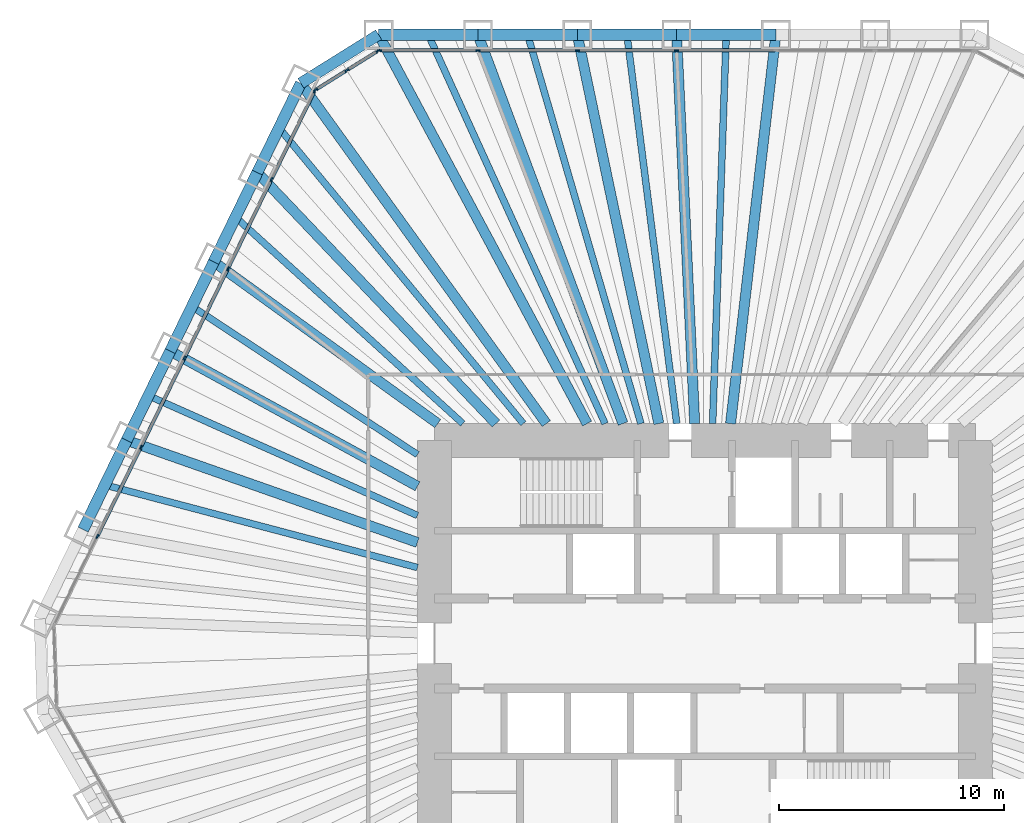
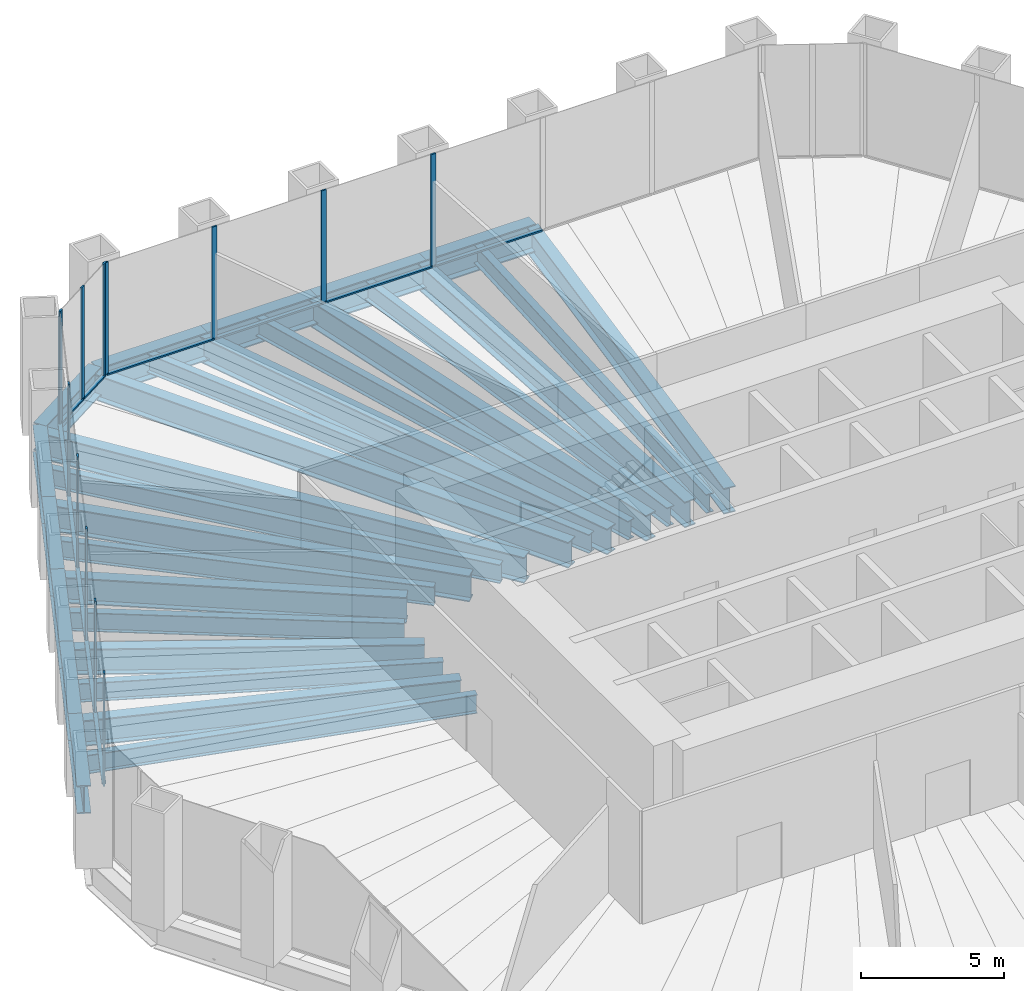
# One storey, part 6 of 14: 29 beams, 24 members, 3 elements without a shape of their own.
"""IFC4 building model written with IfcOpenShell, lengths in metres."""

from ifc_helpers import new_model, si_unit, direction, frame, origin, origin_2d, place, context, subcontext, project, spatial, rectangle, i_section, extrude, material, material_profile, profile_set, type_object, element, aggregate, save


model = new_model("IFC4")

# Units and contexts
model_context = context("Model", 3, precision=1e-05, world=origin(), true_north=direction((0.0, 1.0)))
body_context = subcontext(model_context, "Body", "Model", "MODEL_VIEW")
ifc_project = project(units=[si_unit("LENGTHUNIT", "METRE"), si_unit("AREAUNIT", "SQUARE_METRE"), si_unit("VOLUMEUNIT", "CUBIC_METRE"), si_unit("PLANEANGLEUNIT", "RADIAN"), si_unit("MASSUNIT", "GRAM", prefix="KILO")], contexts=[model_context])

# Site, building, storey
site_placement = place(None, origin())
site = spatial("IfcSite", under=ifc_project, at=site_placement, CompositionType="ELEMENT")
building_placement = place(site_placement, origin())
building = spatial("IfcBuilding", under=site, at=building_placement, Name="Qingtian Harvest Tower", CompositionType="ELEMENT")
storey_placement = place(building_placement, frame((0.0, 0.0, 52.0)))
storey = spatial("IfcBuildingStorey", under=building, at=storey_placement, Name="L10", CompositionType="ELEMENT", Elevation=52.0)

# Beams
ifc_material_1 = material(Name="Steel SM570MC", Category="steel")
ifc_material_profile_1 = material_profile(ifc_material_1, i_section(OverallWidth=0.449951171875, OverallDepth=1.10009765625, WebThickness=0.02197265625, FlangeThickness=0.044921875, at=origin_2d()), Name="H1100x450x22x45")
ifc_profile_set_1 = profile_set([ifc_material_profile_1], Name="Steel SM570MC")
beam_type_1 = type_object("IfcBeamType", Name="Corner floor beam FB8 H1100x450x22x45", PredefinedType="BEAM", material=ifc_profile_set_1)
beam_1_placement = place(storey_placement, frame((-14.471435546875, 27.0, -0.75), z_axis=(0.472401408299, -0.881383520062, 0.0), x_axis=(0.881383520062, 0.472401408299, 0.0)))
element("IfcBeam", 1, at=beam_1_placement, inside=storey, type_object=beam_type_1, Name="Floor beam FB8 N0", PredefinedType="BEAM", context=body_context, shape_type="SweptSolid", body=[
    extrude(i_section(OverallWidth=0.449951171875, OverallDepth=1.10009765625, WebThickness=0.02197265625, FlangeThickness=0.044921875, at=origin_2d()), origin(), (0.0, 0.0, 1.0), 19.571533203125),
])
beam_2_placement = place(storey_placement, frame((-17.923583984375, 24.8427734375, -0.75), z_axis=(0.585095822328, -0.810964166098, 0.0), x_axis=(0.810964166098, 0.585095822328, 0.0)))
element("IfcBeam", 2, at=beam_2_placement, inside=storey, type_object=beam_type_1, Name="Floor beam FB8 NW6", PredefinedType="BEAM", context=body_context, shape_type="SweptSolid", body=[
    extrude(i_section(OverallWidth=0.449951171875, OverallDepth=1.10009765625, WebThickness=0.02197265625, FlangeThickness=0.044921875, at=origin_2d()), origin(), (0.0, 0.0, 1.0), 18.61083984375),
])
ifc_material_2 = material(Name="Steel SM570MC", Category="steel")
ifc_material_profile_2 = material_profile(ifc_material_2, i_section(OverallWidth=0.449951171875, OverallDepth=1.10009765625, WebThickness=0.02197265625, FlangeThickness=0.044921875, at=origin_2d()), Name="H1100x450x22x45")
ifc_profile_set_2 = profile_set([ifc_material_profile_2], Name="Steel SM570MC")
beam_type_2 = type_object("IfcBeamType", Name="Floor beam FB1 H1100x450x22x45", PredefinedType="BEAM", material=ifc_profile_set_2)
beam_3_placement = place(storey_placement, frame((-10.06689453125, 27.0, -0.75), z_axis=(0.349355612113, -0.936990211414, 0.0), x_axis=(0.936990211414, 0.349355612113, 0.0)))
element("IfcBeam", 3, at=beam_3_placement, inside=storey, type_object=beam_type_2, Name="Floor beam FB1 N1", PredefinedType="BEAM", context=body_context, shape_type="SweptSolid", body=[
    extrude(i_section(OverallWidth=0.449951171875, OverallDepth=1.10009765625, WebThickness=0.02197265625, FlangeThickness=0.044921875, at=origin_2d()), origin(), (0.0, 0.0, 1.0), 18.409912109375),
])
beam_4_placement = place(storey_placement, frame((-5.662353515625, 27.0, -0.75), z_axis=(0.205255077335, -0.978708512903, 0.0), x_axis=(0.978708512903, 0.205255077335, 0.0)))
element("IfcBeam", 4, at=beam_4_placement, inside=storey, type_object=beam_type_2, Name="Floor beam FB1 N2", PredefinedType="BEAM", context=body_context, shape_type="SweptSolid", body=[
    extrude(i_section(OverallWidth=0.449951171875, OverallDepth=1.10009765625, WebThickness=0.02197265625, FlangeThickness=0.044921875, at=origin_2d()), origin(), (0.0, 0.0, 1.0), 17.625244140625),
])
beam_5_placement = place(storey_placement, frame((-1.257568359375, 27.0, -0.75), z_axis=(0.046527342366, -0.99891701678, 0.0), x_axis=(0.99891701678, 0.046527342366, 0.0)))
element("IfcBeam", 5, at=beam_5_placement, inside=storey, type_object=beam_type_2, Name="Floor beam FB1 N3", PredefinedType="BEAM", context=body_context, shape_type="SweptSolid", body=[
    extrude(i_section(OverallWidth=0.449951171875, OverallDepth=1.10009765625, WebThickness=0.02197265625, FlangeThickness=0.044921875, at=origin_2d()), origin(), (0.0, 0.0, 1.0), 17.268798828125),
])
beam_6_placement = place(storey_placement, frame((3.14697265625, 27.0, -0.75), z_axis=(-0.115766971807, -0.993276400726, 0.0), x_axis=(0.993276400726, -0.115766971807, 0.0)))
element("IfcBeam", 6, at=beam_6_placement, inside=storey, type_object=beam_type_2, Name="Floor beam FB1 N4", PredefinedType="BEAM", context=body_context, shape_type="SweptSolid", body=[
    extrude(i_section(OverallWidth=0.449951171875, OverallDepth=1.10009765625, WebThickness=0.02197265625, FlangeThickness=0.044921875, at=origin_2d()), origin(), (0.0, 0.0, 1.0), 17.36669921875),
])
beam_7_placement = place(storey_placement, frame((-25.64697265625, 9.007568359375, -0.75), z_axis=(0.943501950009, -0.331366972296, 0.0), x_axis=(0.331366972296, 0.943501950009, 0.0)))
element("IfcBeam", 7, at=beam_7_placement, inside=storey, type_object=beam_type_2, Name="Floor beam FB1 NW2", PredefinedType="BEAM", context=body_context, shape_type="SweptSolid", body=[
    extrude(i_section(OverallWidth=0.449951171875, OverallDepth=1.10009765625, WebThickness=0.02197265625, FlangeThickness=0.044921875, at=origin_2d()), origin(), (0.0, 0.0, 1.0), 13.669189453125),
])
beam_8_placement = place(storey_placement, frame((-23.716064453125, 12.96630859375, -0.75), z_axis=(0.877428569154, -0.479707312882, 0.0), x_axis=(0.479707312882, 0.877428569154, 0.0)))
element("IfcBeam", 8, at=beam_8_placement, inside=storey, type_object=beam_type_2, Name="Floor beam FB1 NW3", PredefinedType="BEAM", context=body_context, shape_type="SweptSolid", body=[
    extrude(i_section(OverallWidth=0.449951171875, OverallDepth=1.10009765625, WebThickness=0.02197265625, FlangeThickness=0.044921875, at=origin_2d()), origin(), (0.0, 0.0, 1.0), 12.498046875),
])
beam_9_placement = place(storey_placement, frame((-21.78515625, 16.92529296875, -0.75), z_axis=(0.810680279019, -0.585489099139, 0.0), x_axis=(0.585489099139, 0.810680279019, 0.0)))
element("IfcBeam", 9, at=beam_9_placement, inside=storey, type_object=beam_type_2, Name="Floor beam FB1 NW4", PredefinedType="BEAM", context=body_context, shape_type="SweptSolid", body=[
    extrude(i_section(OverallWidth=0.449951171875, OverallDepth=1.10009765625, WebThickness=0.02197265625, FlangeThickness=0.044921875, at=origin_2d()), origin(), (0.0, 0.0, 1.0), 12.255126953125),
])
beam_10_placement = place(storey_placement, frame((-19.8544921875, 20.884033203125, -0.75), z_axis=(0.689018801535, -0.724743465739, 0.0), x_axis=(0.724743465739, 0.689018801535, 0.0)))
element("IfcBeam", 10, at=beam_10_placement, inside=storey, type_object=beam_type_2, Name="Floor beam FB1 NW5", PredefinedType="BEAM", context=body_context, shape_type="SweptSolid", body=[
    extrude(i_section(OverallWidth=0.449951171875, OverallDepth=1.10009765625, WebThickness=0.02197265625, FlangeThickness=0.044921875, at=origin_2d()), origin(), (0.0, 0.0, 1.0), 15.36279296875),
])
ifc_material_3 = material(Name="Steel SN490B", Category="steel")
ifc_material_profile_3 = material_profile(ifc_material_3, i_section(OverallWidth=0.300048828125, OverallDepth=0.800048828125, WebThickness=0.013916015625, FlangeThickness=0.02587890625, at=origin_2d()), Name="H800x300x14x26")
ifc_profile_set_3 = profile_set([ifc_material_profile_3], Name="Steel SN490B")
beam_type_3 = type_object("IfcBeamType", Name="Floor joist J1 H800x300x14x26", PredefinedType="JOIST", material=ifc_profile_set_3)
beam_11_placement = place(storey_placement, frame((-12.269287109375, 27.0, -0.60009765625), z_axis=(0.413713629402, -0.910407069858, 0.0), x_axis=(0.910407069858, 0.413713629402, 0.0)))
element("IfcBeam", 11, at=beam_11_placement, inside=storey, type_object=beam_type_3, Name="Floor joist J1 N0", PredefinedType="JOIST", context=body_context, shape_type="SweptSolid", body=[
    extrude(i_section(OverallWidth=0.300048828125, OverallDepth=0.800048828125, WebThickness=0.013916015625, FlangeThickness=0.02587890625, at=origin_2d()), origin(), (0.0, 0.0, 1.0), 18.947509765625),
])
beam_12_placement = place(storey_placement, frame((-7.864501953125, 27.0, -0.60009765625), z_axis=(0.279649335299, -0.960102207719, 0.0), x_axis=(0.960102207719, 0.279649335299, 0.0)))
element("IfcBeam", 12, at=beam_12_placement, inside=storey, type_object=beam_type_3, Name="Floor joist J1 N1", PredefinedType="JOIST", context=body_context, shape_type="SweptSolid", body=[
    extrude(i_section(OverallWidth=0.300048828125, OverallDepth=0.800048828125, WebThickness=0.013916015625, FlangeThickness=0.02587890625, at=origin_2d()), origin(), (0.0, 0.0, 1.0), 17.966796875),
])
beam_13_placement = place(storey_placement, frame((-3.4599609375, 27.0, -0.60009765625), z_axis=(0.127102696173, -0.991889562716, 0.0), x_axis=(0.991889562716, 0.127102696173, 0.0)))
element("IfcBeam", 13, at=beam_13_placement, inside=storey, type_object=beam_type_3, Name="Floor joist J1 N2", PredefinedType="JOIST", context=body_context, shape_type="SweptSolid", body=[
    extrude(i_section(OverallWidth=0.300048828125, OverallDepth=0.800048828125, WebThickness=0.013916015625, FlangeThickness=0.02587890625, at=origin_2d()), origin(), (0.0, 0.0, 1.0), 17.39111328125),
])
beam_14_placement = place(storey_placement, frame((0.944580078125, 27.0, -0.60009765625), z_axis=(-0.034965020137, -0.99938853674, 0.0), x_axis=(0.99938853674, -0.034965020137, 0.0)))
element("IfcBeam", 14, at=beam_14_placement, inside=storey, type_object=beam_type_3, Name="Floor joist J1 N3", PredefinedType="JOIST", context=body_context, shape_type="SweptSolid", body=[
    extrude(i_section(OverallWidth=0.300048828125, OverallDepth=0.800048828125, WebThickness=0.013916015625, FlangeThickness=0.02587890625, at=origin_2d()), origin(), (0.0, 0.0, 1.0), 17.260498046875),
])
beam_15_placement = place(storey_placement, frame((-26.6123046875, 7.028076171875, -0.60009765625), z_axis=(0.966852496992, -0.255335561684, 0.0), x_axis=(0.255335561684, 0.966852496992, 0.0)))
element("IfcBeam", 15, at=beam_15_placement, inside=storey, type_object=beam_type_3, Name="Floor joist J1 NW1", PredefinedType="JOIST", context=body_context, shape_type="SweptSolid", body=[
    extrude(i_section(OverallWidth=0.300048828125, OverallDepth=0.800048828125, WebThickness=0.013916015625, FlangeThickness=0.02587890625, at=origin_2d()), origin(), (0.0, 0.0, 1.0), 14.337646484375),
])
beam_16_placement = place(storey_placement, frame((-24.681640625, 10.987060546875, -0.60009765625), z_axis=(0.913567796195, -0.406686466157, 0.0), x_axis=(0.406686466157, 0.913567796195, 0.0)))
element("IfcBeam", 16, at=beam_16_placement, inside=storey, type_object=beam_type_3, Name="Floor joist J1 NW2", PredefinedType="JOIST", context=body_context, shape_type="SweptSolid", body=[
    extrude(i_section(OverallWidth=0.300048828125, OverallDepth=0.800048828125, WebThickness=0.013916015625, FlangeThickness=0.02587890625, at=origin_2d()), origin(), (0.0, 0.0, 1.0), 13.060546875),
])
beam_17_placement = place(storey_placement, frame((-22.750732421875, 14.94580078125, -0.60009765625), z_axis=(0.835785467613, -0.549056146607, 0.0), x_axis=(0.549056146607, 0.835785467613, 0.0)))
element("IfcBeam", 17, at=beam_17_placement, inside=storey, type_object=beam_type_3, Name="Floor joist J1 NW3", PredefinedType="JOIST", context=body_context, shape_type="SweptSolid", body=[
    extrude(i_section(OverallWidth=0.300048828125, OverallDepth=0.800048828125, WebThickness=0.013916015625, FlangeThickness=0.02587890625, at=origin_2d()), origin(), (0.0, 0.0, 1.0), 11.965576171875),
])
beam_18_placement = place(storey_placement, frame((-20.81982421875, 18.904541015625, -0.60009765625), z_axis=(0.740339866926, -0.672232758381, 0.0), x_axis=(0.672232758381, 0.740339866926, 0.0)))
element("IfcBeam", 18, at=beam_18_placement, inside=storey, type_object=beam_type_3, Name="Floor joist J1 NW4", PredefinedType="JOIST", context=body_context, shape_type="SweptSolid", body=[
    extrude(i_section(OverallWidth=0.300048828125, OverallDepth=0.800048828125, WebThickness=0.013916015625, FlangeThickness=0.02587890625, at=origin_2d()), origin(), (0.0, 0.0, 1.0), 13.6181640625),
])
beam_19_placement = place(storey_placement, frame((-18.888916015625, 22.863525390625, -0.60009765625), z_axis=(0.636910378144, -0.77093785107, 0.0), x_axis=(0.77093785107, 0.636910378144, 0.0)))
element("IfcBeam", 19, at=beam_19_placement, inside=storey, type_object=beam_type_3, Name="Floor joist J1 NW5", PredefinedType="JOIST", context=body_context, shape_type="SweptSolid", body=[
    extrude(i_section(OverallWidth=0.300048828125, OverallDepth=0.800048828125, WebThickness=0.013916015625, FlangeThickness=0.02587890625, at=origin_2d()), origin(), (0.0, 0.0, 1.0), 17.009765625),
])

# Curtain wall, members
ifc_material_4 = material(Name="Bronze-anodised aluminium curtain wall", Category="aluminium")
curtain_wall_type = type_object("IfcCurtainWallType", Name="Curtain wall CW2 farm reception", PredefinedType="USERDEFINED", material=ifc_material_4)
curtain_wall_1_placement = place(storey_placement, origin())
curtain_wall_1 = element("IfcCurtainWall", 20, at=curtain_wall_1_placement, inside=storey, type_object=curtain_wall_type, Name="Curtain wall CW2 L10 N0-5", ObjectType="RECESSED CURTAIN WALL", PredefinedType="USERDEFINED")
ifc_material_5 = material(Name="Bronze-anodised aluminium mullion", Category="aluminium")
ifc_material_profile_4 = material_profile(ifc_material_5, rectangle(XDim=0.06494140625, YDim=0.199951171875, at=origin_2d()), Name="AL 65x200")
ifc_profile_set_4 = profile_set([ifc_material_profile_4], Name="Bronze-anodised aluminium mullion")
member_type_1 = type_object("IfcMemberType", Name="Mullion CWM 65x200", PredefinedType="MULLION", material=ifc_profile_set_4)
member_1_placement = place(storey_placement, frame((-14.43896484375, 26.300048828125, 0.0), z_axis=(0.0, 0.0, 1.0), x_axis=(0.0, 1.0, 0.0)))
member_1 = element("IfcMember", 21, at=member_1_placement, type_object=member_type_1, Name="CW2 mullion 1", PredefinedType="MULLION", context=body_context, shape_type="SweptSolid", body=[
    extrude(rectangle(XDim=0.06494140625, YDim=0.199951171875, at=origin_2d()), origin(), (0.0, 0.0, 1.0), 4.800048828125),
])
member_2_placement = place(storey_placement, frame((-10.06689453125, 26.300048828125, 0.0), z_axis=(0.0, 0.0, 1.0), x_axis=(0.0, 1.0, 0.0)))
member_2 = element("IfcMember", 22, at=member_2_placement, type_object=member_type_1, Name="CW2 mullion 2", PredefinedType="MULLION", context=body_context, shape_type="SweptSolid", body=[
    extrude(rectangle(XDim=0.06494140625, YDim=0.199951171875, at=origin_2d()), origin(), (0.0, 0.0, 1.0), 4.800048828125),
])
member_3_placement = place(storey_placement, frame((-5.662353515625, 26.300048828125, 0.0), z_axis=(0.0, 0.0, 1.0), x_axis=(0.0, 1.0, 0.0)))
member_3 = element("IfcMember", 23, at=member_3_placement, type_object=member_type_1, Name="CW2 mullion 3", PredefinedType="MULLION", context=body_context, shape_type="SweptSolid", body=[
    extrude(rectangle(XDim=0.06494140625, YDim=0.199951171875, at=origin_2d()), origin(), (0.0, 0.0, 1.0), 4.800048828125),
])
member_4_placement = place(storey_placement, frame((-1.257568359375, 26.300048828125, 0.0), z_axis=(0.0, 0.0, 1.0), x_axis=(0.0, 1.0, 0.0)))
member_4 = element("IfcMember", 24, at=member_4_placement, type_object=member_type_1, Name="CW2 mullion 4", PredefinedType="MULLION", context=body_context, shape_type="SweptSolid", body=[
    extrude(rectangle(XDim=0.06494140625, YDim=0.199951171875, at=origin_2d()), origin(), (0.0, 0.0, 1.0), 4.800048828125),
])

curtain_wall_2_placement = place(storey_placement, origin())
curtain_wall_2 = element("IfcCurtainWall", 25, at=curtain_wall_2_placement, inside=storey, type_object=curtain_wall_type, Name="Curtain wall CW2 L10 NW0-5", ObjectType="RECESSED CURTAIN WALL", PredefinedType="USERDEFINED")
member_5_placement = place(storey_placement, frame((-26.94873046875, 4.741943359375, 0.0), z_axis=(0.0, 0.0, 1.0), x_axis=(-0.898794046299, 0.438371146789, 0.0)))
member_5 = element("IfcMember", 26, at=member_5_placement, type_object=member_type_1, Name="CW2 mullion 2", PredefinedType="MULLION", context=body_context, shape_type="SweptSolid", body=[
    extrude(rectangle(XDim=0.06494140625, YDim=0.199951171875, at=origin_2d()), origin(), (0.0, 0.0, 1.0), 4.800048828125),
])
member_6_placement = place(storey_placement, frame((-25.017822265625, 8.70068359375, 0.0), z_axis=(0.0, 0.0, 1.0), x_axis=(-0.898794046299, 0.438371146789, 0.0)))
member_6 = element("IfcMember", 27, at=member_6_placement, type_object=member_type_1, Name="CW2 mullion 3", PredefinedType="MULLION", context=body_context, shape_type="SweptSolid", body=[
    extrude(rectangle(XDim=0.06494140625, YDim=0.199951171875, at=origin_2d()), origin(), (0.0, 0.0, 1.0), 4.800048828125),
])
member_7_placement = place(storey_placement, frame((-23.0869140625, 12.659423828125, 0.0), z_axis=(0.0, 0.0, 1.0), x_axis=(-0.898794046299, 0.438371146789, 0.0)))
member_7 = element("IfcMember", 28, at=member_7_placement, type_object=member_type_1, Name="CW2 mullion 4", PredefinedType="MULLION", context=body_context, shape_type="SweptSolid", body=[
    extrude(rectangle(XDim=0.06494140625, YDim=0.199951171875, at=origin_2d()), origin(), (0.0, 0.0, 1.0), 4.800048828125),
])
member_8_placement = place(storey_placement, frame((-21.156005859375, 16.618408203125, 0.0), z_axis=(0.0, 0.0, 1.0), x_axis=(-0.898794046299, 0.438371146789, 0.0)))
member_8 = element("IfcMember", 29, at=member_8_placement, type_object=member_type_1, Name="CW2 mullion 5", PredefinedType="MULLION", context=body_context, shape_type="SweptSolid", body=[
    extrude(rectangle(XDim=0.06494140625, YDim=0.199951171875, at=origin_2d()), origin(), (0.0, 0.0, 1.0), 4.800048828125),
])
member_9_placement = place(storey_placement, frame((-19.225341796875, 20.5771484375, 0.0), z_axis=(0.0, 0.0, 1.0), x_axis=(-0.898794046299, 0.438371146789, 0.0)))
member_9 = element("IfcMember", 30, at=member_9_placement, type_object=member_type_1, Name="CW2 mullion 6", PredefinedType="MULLION", context=body_context, shape_type="SweptSolid", body=[
    extrude(rectangle(XDim=0.06494140625, YDim=0.199951171875, at=origin_2d()), origin(), (0.0, 0.0, 1.0), 4.800048828125),
])
member_10_placement = place(storey_placement, frame((-17.30859375, 24.5068359375, 0.0), z_axis=(0.0, 0.0, 1.0), x_axis=(-0.898794046299, 0.438371146789, 0.0)))
member_10 = element("IfcMember", 31, at=member_10_placement, type_object=member_type_1, Name="CW2 mullion 7", PredefinedType="MULLION", context=body_context, shape_type="SweptSolid", body=[
    extrude(rectangle(XDim=0.06494140625, YDim=0.199951171875, at=origin_2d()), origin(), (0.0, 0.0, 1.0), 4.800048828125),
])

curtain_wall_3_placement = place(storey_placement, origin())
curtain_wall_3 = element("IfcCurtainWall", 32, at=curtain_wall_3_placement, inside=storey, type_object=curtain_wall_type, Name="Curtain wall CW2 L10 NWC", ObjectType="RECESSED CURTAIN WALL", PredefinedType="USERDEFINED")
member_11_placement = place(storey_placement, frame((-17.266845703125, 24.55322265625, 0.0), z_axis=(0.0, 0.0, 1.0), x_axis=(-0.529919264233, 0.848048096156, 0.0)))
member_11 = element("IfcMember", 33, at=member_11_placement, type_object=member_type_1, Name="CW2 mullion 1", PredefinedType="MULLION", context=body_context, shape_type="SweptSolid", body=[
    extrude(rectangle(XDim=0.06494140625, YDim=0.199951171875, at=origin_2d()), origin(), (0.0, 0.0, 1.0), 4.800048828125),
])
member_12_placement = place(storey_placement, frame((-15.883056640625, 25.41796875, 0.0), z_axis=(0.0, 0.0, 1.0), x_axis=(-0.529919264233, 0.848048096156, 0.0)))
member_12 = element("IfcMember", 34, at=member_12_placement, type_object=member_type_1, Name="CW2 mullion 2", PredefinedType="MULLION", context=body_context, shape_type="SweptSolid", body=[
    extrude(rectangle(XDim=0.06494140625, YDim=0.199951171875, at=origin_2d()), origin(), (0.0, 0.0, 1.0), 4.800048828125),
])
member_13_placement = place(storey_placement, frame((-14.4990234375, 26.28271484375, 0.0), z_axis=(0.0, 0.0, 1.0), x_axis=(-0.529919264233, 0.848048096156, 0.0)))
member_13 = element("IfcMember", 35, at=member_13_placement, type_object=member_type_1, Name="CW2 mullion 3", PredefinedType="MULLION", context=body_context, shape_type="SweptSolid", body=[
    extrude(rectangle(XDim=0.06494140625, YDim=0.199951171875, at=origin_2d()), origin(), (0.0, 0.0, 1.0), 4.800048828125),
])

# Beams
ifc_material_6 = material(Name="Steel SM570MC", Category="steel")
ifc_material_profile_5 = material_profile(ifc_material_6, i_section(OverallWidth=0.5, OverallDepth=1.199951171875, WebThickness=0.02490234375, FlangeThickness=0.050048828125, at=origin_2d()), Name="H1200x500x25x50")
ifc_profile_set_5 = profile_set([ifc_material_profile_5], Name="Steel SM570MC")
beam_type_4 = type_object("IfcBeamType", Name="Spandrel beam SB1 H1200x500x25x50", PredefinedType="SPANDREL", material=ifc_profile_set_5)
for number, where, z_axis, x_axis, name in (
    (36, (-14.471435546875, 27.0, -0.60009765625), (1.0, 0.0, 0.0), (0.0, 1.0, 0.0), "Spandrel SB1 N0"),
    (37, (-10.06689453125, 27.0, -0.60009765625), (1.0, 0.0, 0.0), (0.0, 1.0, 0.0), "Spandrel SB1 N1"),
):
    element("IfcBeam", number, at=place(storey_placement, frame(where, z_axis=z_axis, x_axis=x_axis)), inside=storey, type_object=beam_type_4, Name=name, PredefinedType="SPANDREL", context=body_context, shape_type="SweptSolid", body=[
        extrude(i_section(OverallWidth=0.5, OverallDepth=1.199951171875, WebThickness=0.02490234375, FlangeThickness=0.050048828125, at=origin_2d()), origin(), (0.0, 0.0, 1.0), 4.404541015625),
    ])
beam_20_placement = place(storey_placement, frame((-5.662353515625, 27.0, -0.60009765625), z_axis=(1.0, 0.0, 0.0), x_axis=(0.0, 1.0, 0.0)))
element("IfcBeam", 38, at=beam_20_placement, inside=storey, type_object=beam_type_4, Name="Spandrel SB1 N2", PredefinedType="SPANDREL", context=body_context, shape_type="SweptSolid", body=[
    extrude(i_section(OverallWidth=0.5, OverallDepth=1.199951171875, WebThickness=0.02490234375, FlangeThickness=0.050048828125, at=origin_2d()), origin(), (0.0, 0.0, 1.0), 4.40478515625),
])
for number, where, z_axis, x_axis, name in (
    (39, (-1.257568359375, 27.0, -0.60009765625), (1.0, 0.0, 0.0), (0.0, 1.0, 0.0), "Spandrel SB1 N3"),
    (40, (-27.577880859375, 5.048828125, -0.60009765625), (0.438389777529, 0.898784959241, 0.0), (-0.898784959241, 0.438389777529, 0.0), "Spandrel SB1 NW1"),
    (41, (-25.64697265625, 9.007568359375, -0.60009765625), (0.438389777529, 0.898784959241, 0.0), (-0.898784959241, 0.438389777529, 0.0), "Spandrel SB1 NW2"),
):
    element("IfcBeam", number, at=place(storey_placement, frame(where, z_axis=z_axis, x_axis=x_axis)), inside=storey, type_object=beam_type_4, Name=name, PredefinedType="SPANDREL", context=body_context, shape_type="SweptSolid", body=[
        extrude(i_section(OverallWidth=0.5, OverallDepth=1.199951171875, WebThickness=0.02490234375, FlangeThickness=0.050048828125, at=origin_2d()), origin(), (0.0, 0.0, 1.0), 4.404541015625),
    ])
beam_21_placement = place(storey_placement, frame((-23.716064453125, 12.96630859375, -0.60009765625), z_axis=(0.438367938366, 0.898795611145, 0.0), x_axis=(-0.898795611145, 0.438367938366, 0.0)))
element("IfcBeam", 42, at=beam_21_placement, inside=storey, type_object=beam_type_4, Name="Spandrel SB1 NW3", PredefinedType="SPANDREL", context=body_context, shape_type="SweptSolid", body=[
    extrude(i_section(OverallWidth=0.5, OverallDepth=1.199951171875, WebThickness=0.02490234375, FlangeThickness=0.050048828125, at=origin_2d()), origin(), (0.0, 0.0, 1.0), 4.40478515625),
])
for number, where, z_axis, x_axis, name in (
    (43, (-21.78515625, 16.92529296875, -0.60009765625), (0.438344999367, 0.898806798778, 0.0), (-0.898806798778, 0.438344999367, 0.0), "Spandrel SB1 NW4"),
    (44, (-19.8544921875, 20.884033203125, -0.60009765625), (0.438389777529, 0.898784959241, 0.0), (-0.898784959241, 0.438389777529, 0.0), "Spandrel SB1 NW5"),
):
    element("IfcBeam", number, at=place(storey_placement, frame(where, z_axis=z_axis, x_axis=x_axis)), inside=storey, type_object=beam_type_4, Name=name, PredefinedType="SPANDREL", context=body_context, shape_type="SweptSolid", body=[
        extrude(i_section(OverallWidth=0.5, OverallDepth=1.199951171875, WebThickness=0.02490234375, FlangeThickness=0.050048828125, at=origin_2d()), origin(), (0.0, 0.0, 1.0), 4.404541015625),
    ])
beam_22_placement = place(storey_placement, frame((-17.923583984375, 24.8427734375, -0.60009765625), z_axis=(0.848038733752, 0.529934246919, 0.0), x_axis=(-0.529934246919, 0.848038733752, 0.0)))
element("IfcBeam", 45, at=beam_22_placement, inside=storey, type_object=beam_type_4, Name="Spandrel SB1 NWC", PredefinedType="SPANDREL", context=body_context, shape_type="SweptSolid", body=[
    extrude(i_section(OverallWidth=0.5, OverallDepth=1.199951171875, WebThickness=0.02490234375, FlangeThickness=0.050048828125, at=origin_2d()), origin(), (0.0, 0.0, 1.0), 4.07080078125),
])

# Member
ifc_material_7 = material(Name="Bronze-anodised aluminium transom", Category="aluminium")
ifc_material_profile_6 = material_profile(ifc_material_7, rectangle(XDim=0.14990234375, YDim=0.06494140625, at=origin_2d()), Name="AL 65x150")
ifc_profile_set_6 = profile_set([ifc_material_profile_6], Name="Bronze-anodised aluminium transom")
member_type_2 = type_object("IfcMemberType", Name="Transom CWT 65x150", PredefinedType="USERDEFINED", material=ifc_profile_set_6)
member_14_placement = place(storey_placement, frame((-14.406494140625, 26.300048828125, 0.032470703125), z_axis=(1.0, 0.0, 0.0), x_axis=(0.0, 1.0, 0.0)))
member_14 = element("IfcMember", 46, at=member_14_placement, type_object=member_type_2, Name="CW2 transom 1.1", ObjectType="TRANSOM", PredefinedType="USERDEFINED", context=body_context, shape_type="SweptSolid", body=[
    extrude(rectangle(XDim=0.14990234375, YDim=0.06494140625, at=origin_2d()), origin(), (0.0, 0.0, 1.0), 4.30712890625),
])

member_15_placement = place(storey_placement, frame((-10.034423828125, 26.300048828125, 0.032470703125), z_axis=(1.0, 0.0, 0.0), x_axis=(0.0, 1.0, 0.0)))
member_15 = element("IfcMember", 47, at=member_15_placement, type_object=member_type_2, Name="CW2 transom 2.1", ObjectType="TRANSOM", PredefinedType="USERDEFINED", context=body_context, shape_type="SweptSolid", body=[
    extrude(rectangle(XDim=0.14990234375, YDim=0.06494140625, at=origin_2d()), origin(), (0.0, 0.0, 1.0), 4.339599609375),
])

member_16_placement = place(storey_placement, frame((-5.6298828125, 26.300048828125, 0.032470703125), z_axis=(1.0, 0.0, 0.0), x_axis=(0.0, 1.0, 0.0)))
member_16 = element("IfcMember", 48, at=member_16_placement, type_object=member_type_2, Name="CW2 transom 3.1", ObjectType="TRANSOM", PredefinedType="USERDEFINED", context=body_context, shape_type="SweptSolid", body=[
    extrude(rectangle(XDim=0.14990234375, YDim=0.06494140625, at=origin_2d()), origin(), (0.0, 0.0, 1.0), 4.33984375),
])

member_17_placement = place(storey_placement, frame((-1.22509765625, 26.300048828125, 0.032470703125), z_axis=(1.0, 0.0, 0.0), x_axis=(0.0, 1.0, 0.0)))
member_17 = element("IfcMember", 49, at=member_17_placement, type_object=member_type_2, Name="CW2 transom 4.1", ObjectType="TRANSOM", PredefinedType="USERDEFINED", context=body_context, shape_type="SweptSolid", body=[
    extrude(rectangle(XDim=0.14990234375, YDim=0.06494140625, at=origin_2d()), origin(), (0.0, 0.0, 1.0), 4.339599609375),
])

aggregate(curtain_wall_1, [member_1, member_2, member_3, member_4, member_14, member_15, member_16, member_17])

member_18_placement = place(storey_placement, frame((-26.934326171875, 4.77099609375, 0.032470703125), z_axis=(0.438370427127, 0.898794397302, 0.0), x_axis=(-0.898794397302, 0.438370427127, 0.0)))
member_18 = element("IfcMember", 50, at=member_18_placement, type_object=member_type_2, Name="CW2 transom 2.1", ObjectType="TRANSOM", PredefinedType="USERDEFINED", context=body_context, shape_type="SweptSolid", body=[
    extrude(rectangle(XDim=0.14990234375, YDim=0.06494140625, at=origin_2d()), origin(), (0.0, 0.0, 1.0), 4.339599609375),
])

member_19_placement = place(storey_placement, frame((-25.003662109375, 8.72998046875, 0.032470703125), z_axis=(0.438370427127, 0.898794397302, 0.0), x_axis=(-0.898794397302, 0.438370427127, 0.0)))
member_19 = element("IfcMember", 51, at=member_19_placement, type_object=member_type_2, Name="CW2 transom 3.1", ObjectType="TRANSOM", PredefinedType="USERDEFINED", context=body_context, shape_type="SweptSolid", body=[
    extrude(rectangle(XDim=0.14990234375, YDim=0.06494140625, at=origin_2d()), origin(), (0.0, 0.0, 1.0), 4.339599609375),
])

member_20_placement = place(storey_placement, frame((-23.07275390625, 12.688720703125, 0.032470703125), z_axis=(0.438370427127, 0.898794397302, 0.0), x_axis=(-0.898794397302, 0.438370427127, 0.0)))
member_20 = element("IfcMember", 52, at=member_20_placement, type_object=member_type_2, Name="CW2 transom 4.1", ObjectType="TRANSOM", PredefinedType="USERDEFINED", context=body_context, shape_type="SweptSolid", body=[
    extrude(rectangle(XDim=0.14990234375, YDim=0.06494140625, at=origin_2d()), origin(), (0.0, 0.0, 1.0), 4.339599609375),
])

member_21_placement = place(storey_placement, frame((-21.141845703125, 16.6474609375, 0.032470703125), z_axis=(0.438348261778, 0.898805207704, 0.0), x_axis=(-0.898805207704, 0.438348261778, 0.0)))
member_21 = element("IfcMember", 53, at=member_21_placement, type_object=member_type_2, Name="CW2 transom 5.1", ObjectType="TRANSOM", PredefinedType="USERDEFINED", context=body_context, shape_type="SweptSolid", body=[
    extrude(rectangle(XDim=0.14990234375, YDim=0.06494140625, at=origin_2d()), origin(), (0.0, 0.0, 1.0), 4.33984375),
])

member_22_placement = place(storey_placement, frame((-19.2109375, 20.6064453125, 0.032470703125), z_axis=(0.438348803491, 0.89880494351, 0.0), x_axis=(-0.89880494351, 0.438348803491, 0.0)))
member_22 = element("IfcMember", 54, at=member_22_placement, type_object=member_type_2, Name="CW2 transom 6.1", ObjectType="TRANSOM", PredefinedType="USERDEFINED", context=body_context, shape_type="SweptSolid", body=[
    extrude(rectangle(XDim=0.14990234375, YDim=0.06494140625, at=origin_2d()), origin(), (0.0, 0.0, 1.0), 4.306884765625),
])

aggregate(curtain_wall_2, [member_5, member_6, member_7, member_8, member_9, member_10, member_18, member_19, member_20, member_21, member_22])

member_23_placement = place(storey_placement, frame((-17.2392578125, 24.570556640625, 0.032470703125), z_axis=(0.848059570903, 0.529900900357, 0.0), x_axis=(-0.529900900357, 0.848059570903, 0.0)))
member_23 = element("IfcMember", 55, at=member_23_placement, type_object=member_type_2, Name="CW2 transom 1.1", ObjectType="TRANSOM", PredefinedType="USERDEFINED", context=body_context, shape_type="SweptSolid", body=[
    extrude(rectangle(XDim=0.14990234375, YDim=0.06494140625, at=origin_2d()), origin(), (0.0, 0.0, 1.0), 1.56689453125),
])

member_24_placement = place(storey_placement, frame((-15.85546875, 25.435302734375, 0.032470703125), z_axis=(0.848059570903, 0.529900900357, 0.0), x_axis=(-0.529900900357, 0.848059570903, 0.0)))
member_24 = element("IfcMember", 56, at=member_24_placement, type_object=member_type_2, Name="CW2 transom 2.1", ObjectType="TRANSOM", PredefinedType="USERDEFINED", context=body_context, shape_type="SweptSolid", body=[
    extrude(rectangle(XDim=0.14990234375, YDim=0.06494140625, at=origin_2d()), origin(), (0.0, 0.0, 1.0), 1.56689453125),
])

aggregate(curtain_wall_3, [member_11, member_12, member_13, member_23, member_24])

save(model, "model.ifc")
